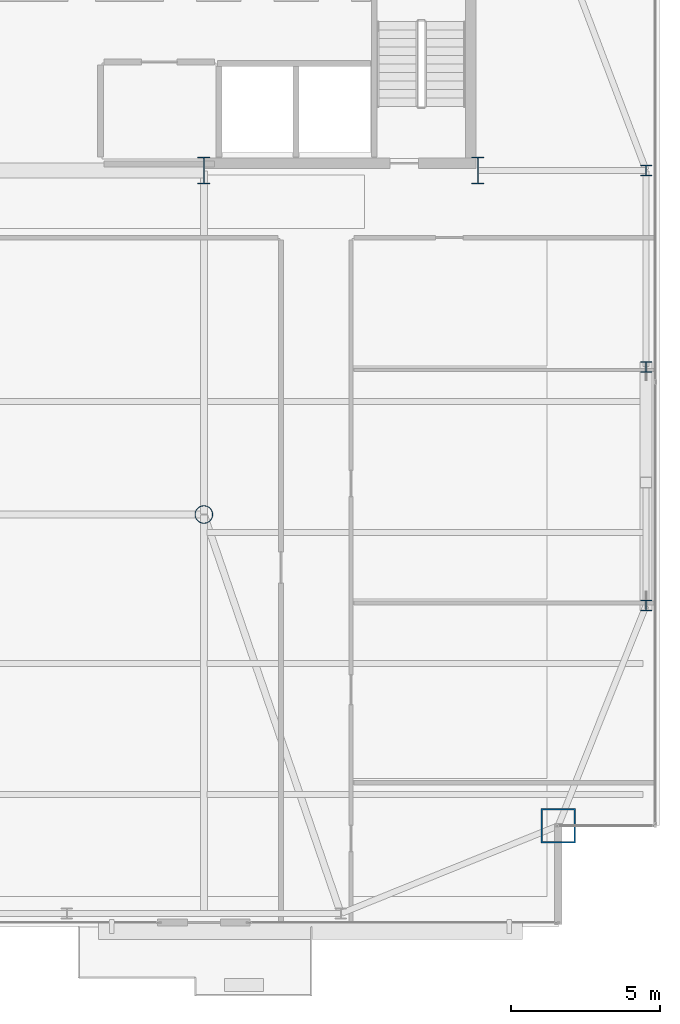
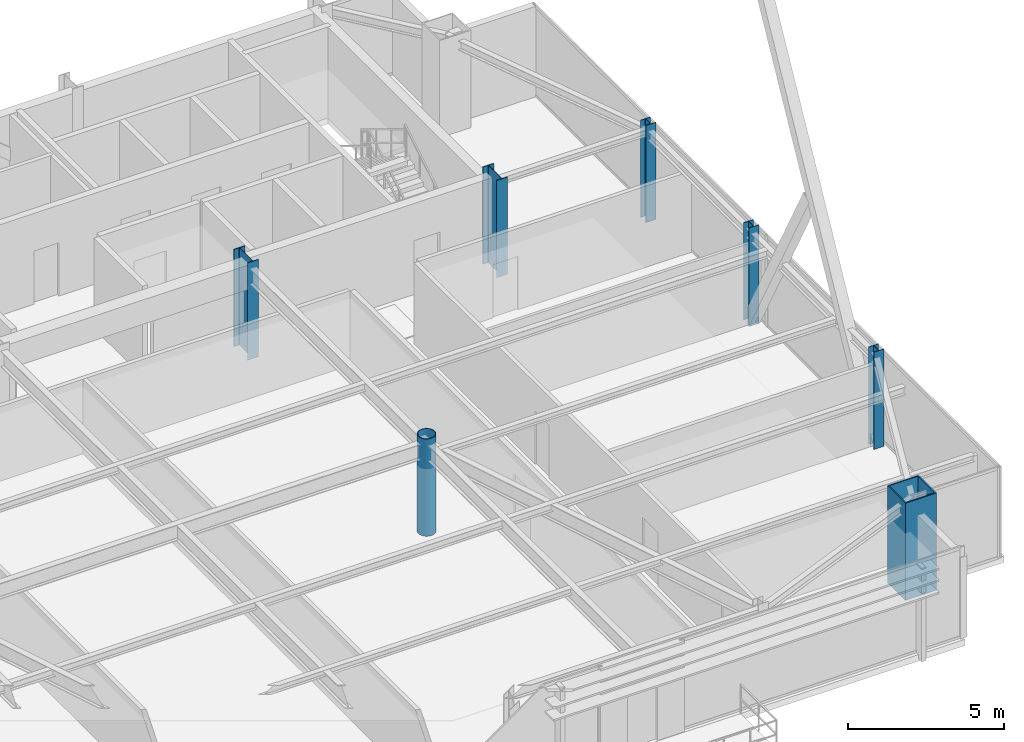
# One storey, part 2 of 31: 7 columns.
"""IFC4 building model written with IfcOpenShell, lengths in metres."""

from ifc_helpers import new_model, si_unit, direction, frame, origin, origin_2d, place, context, subcontext, project, spatial, hollow_rectangle, hollow_circle, i_section, extrude, source, transform, mapped, material, material_profile, profile_set, type_object, type_shapes, element, save


model = new_model("IFC4")

# Units and contexts
model_context = context("Model", 3, precision=1e-05, world=origin(), true_north=direction((0.0, 1.0)))
body_context = subcontext(model_context, "Body", "Model", "MODEL_VIEW")
ifc_project = project(units=[si_unit("LENGTHUNIT", "METRE"), si_unit("AREAUNIT", "SQUARE_METRE"), si_unit("VOLUMEUNIT", "CUBIC_METRE"), si_unit("PLANEANGLEUNIT", "RADIAN"), si_unit("MASSUNIT", "GRAM", prefix="KILO")], contexts=[model_context])

# Site, building, storey
site_placement = place(None, origin())
site = spatial("IfcSite", under=ifc_project, at=site_placement, CompositionType="ELEMENT")
building_placement = place(site_placement, origin())
building = spatial("IfcBuilding", under=site, at=building_placement, Name="Varnel Quay Broadcast Tower", CompositionType="ELEMENT")
storey_placement = place(building_placement, frame((0.0, 0.0, 215.0)))
storey = spatial("IfcBuildingStorey", under=building, at=storey_placement, Name="L53", CompositionType="ELEMENT", Elevation=215.0)

# Columns
ifc_material_1 = material(Name="Structural Steel CSA G40.21 350WT", Category="steel")
ifc_material_profile_1 = material_profile(ifc_material_1, i_section(OverallWidth=0.39990234375, OverallDepth=0.89990234375, WebThickness=0.01611328125, FlangeThickness=0.028076171875, FilletRadius=0.01611328125, at=origin_2d()), Name="WWF900X309")
ifc_profile_set_1 = profile_set([ifc_material_profile_1], Name="Structural Steel CSA G40.21 350WT")
column_type_1 = type_object("IfcColumnType", Name="Col_WWF900X309", PredefinedType="COLUMN", material=ifc_profile_set_1)
shared_shape_1 = source(origin(), body_context, "Body", "SweptSolid", [
    extrude(i_section(OverallWidth=0.39990234375, OverallDepth=0.89990234375, WebThickness=0.01611328125, FlangeThickness=0.028076171875, FilletRadius=0.01611328125, at=origin_2d()), origin(), (0.0, 0.0, 1.0), 3.800048828125),
])
type_shapes(column_type_1, [shared_shape_1])
for number, where, z_axis, x_axis, name in (
    (1, (43.199951171875, 35.60009765625, 0.0), (0.0, 0.0, 1.0), (1.0, 0.0, 0.0), "L53 Column CC-S4"),
    (2, (52.39990234375, 35.60009765625, 0.0), (0.0, 0.0, 1.0), (1.0, 0.0, 0.0), "L53 Column CC-S5"),
):
    element("IfcColumn", number, at=place(storey_placement, frame(where, z_axis=z_axis, x_axis=x_axis)), inside=storey, type_object=column_type_1, Name=name, PredefinedType="COLUMN", context=body_context, shape_type="MappedRepresentation", body=[
        mapped(shared_shape_1, transform((0.0, 0.0, 0.0), x_axis=(1.0, 0.0, 0.0), y_axis=(0.0, 1.0, 0.0), z_axis=(0.0, 0.0, 1.0), scale=1.0)),
    ])
ifc_material_profile_2 = material_profile(ifc_material_1, hollow_rectangle(XDim=1.14990234375, YDim=1.14990234375, WallThickness=0.044921875, at=origin_2d()), Name="BOX1150X1150X45")
ifc_profile_set_2 = profile_set([ifc_material_profile_2], Name="Structural Steel CSA G40.21 350WT")
column_type_2 = type_object("IfcColumnType", Name="Col_BOX1150X1150X45", PredefinedType="COLUMN", material=ifc_profile_set_2)
shared_shape_2 = source(origin(), body_context, "Body", "SweptSolid", [
    extrude(hollow_rectangle(XDim=1.14990234375, YDim=1.14990234375, WallThickness=0.044921875, at=origin_2d()), origin(), (0.0, 0.0, 1.0), 3.800048828125),
])
type_shapes(column_type_2, [shared_shape_2])
column_1_placement = place(storey_placement, frame((55.10009765625, 13.60009765625, 0.0), z_axis=(0.0, 0.0, 1.0), x_axis=(1.0, 0.0, 0.0)))
element("IfcColumn", 3, at=column_1_placement, inside=storey, type_object=column_type_2, Name="L53 Column MC-SE", PredefinedType="COLUMN", context=body_context, shape_type="MappedRepresentation", body=[
    mapped(shared_shape_2, transform((0.0, 0.0, 0.0), x_axis=(1.0, 0.0, 0.0), y_axis=(0.0, 1.0, 0.0), z_axis=(0.0, 0.0, 1.0), scale=1.0)),
])
ifc_material_2 = material(Name="Structural Steel CSA G40.21 350W", Category="steel")
ifc_material_profile_3 = material_profile(ifc_material_2, i_section(OverallWidth=0.368896484375, OverallDepth=0.35595703125, WebThickness=0.01123046875, FlangeThickness=0.01806640625, FilletRadius=0.01611328125, at=origin_2d()), Name="W360X134")
ifc_profile_set_3 = profile_set([ifc_material_profile_3], Name="Structural Steel CSA G40.21 350W")
column_type_3 = type_object("IfcColumnType", Name="Col_W360X134", PredefinedType="COLUMN", material=ifc_profile_set_3)
shared_shape_3 = source(origin(), body_context, "Body", "SweptSolid", [
    extrude(i_section(OverallWidth=0.368896484375, OverallDepth=0.35595703125, WebThickness=0.01123046875, FlangeThickness=0.01806640625, FilletRadius=0.01611328125, at=origin_2d()), origin(), (0.0, 0.0, 1.0), 3.800048828125),
])
type_shapes(column_type_3, [shared_shape_3])
for number, where, z_axis, x_axis, name in (
    (4, (58.050048828125, 21.0, 0.0), (0.0, 0.0, 1.0), (1.0, 0.0, 0.0), "L53 Column TC-E1"),
    (5, (58.050048828125, 29.0, 0.0), (0.0, 0.0, 1.0), (1.0, 0.0, 0.0), "L53 Column TC-E2"),
    (6, (58.050048828125, 35.60009765625, 0.0), (0.0, 0.0, 1.0), (1.0, 0.0, 0.0), "L53 Column TC-E3"),
):
    element("IfcColumn", number, at=place(storey_placement, frame(where, z_axis=z_axis, x_axis=x_axis)), inside=storey, type_object=column_type_3, Name=name, PredefinedType="COLUMN", context=body_context, shape_type="MappedRepresentation", body=[
        mapped(shared_shape_3, transform((0.0, 0.0, 0.0), x_axis=(1.0, 0.0, 0.0), y_axis=(0.0, 1.0, 0.0), z_axis=(0.0, 0.0, 1.0), scale=1.0)),
    ])
ifc_material_profile_4 = material_profile(ifc_material_2, hollow_circle(Radius=0.304931640625, WallThickness=0.02490234375, at=origin_2d()), Name="CHS610X25")
ifc_profile_set_4 = profile_set([ifc_material_profile_4], Name="Structural Steel CSA G40.21 350W")
column_type_4 = type_object("IfcColumnType", Name="Col_CHS610X25", PredefinedType="COLUMN", material=ifc_profile_set_4)
shared_shape_4 = source(origin(), body_context, "Body", "SweptSolid", [
    extrude(hollow_circle(Radius=0.304931640625, WallThickness=0.02490234375, at=origin_2d()), origin(), (0.0, 0.0, 1.0), 3.800048828125),
])
type_shapes(column_type_4, [shared_shape_4])
column_2_placement = place(storey_placement, frame((43.199951171875, 24.050048828125, 0.0), z_axis=(0.0, 0.0, 1.0), x_axis=(1.0, 0.0, 0.0)))
element("IfcColumn", 7, at=column_2_placement, inside=storey, type_object=column_type_4, Name="L53 Column IC-02", PredefinedType="COLUMN", context=body_context, shape_type="MappedRepresentation", body=[
    mapped(shared_shape_4, transform((0.0, 0.0, 0.0), x_axis=(1.0, 0.0, 0.0), y_axis=(0.0, 1.0, 0.0), z_axis=(0.0, 0.0, 1.0), scale=1.0)),
])

save(model, "model.ifc")
